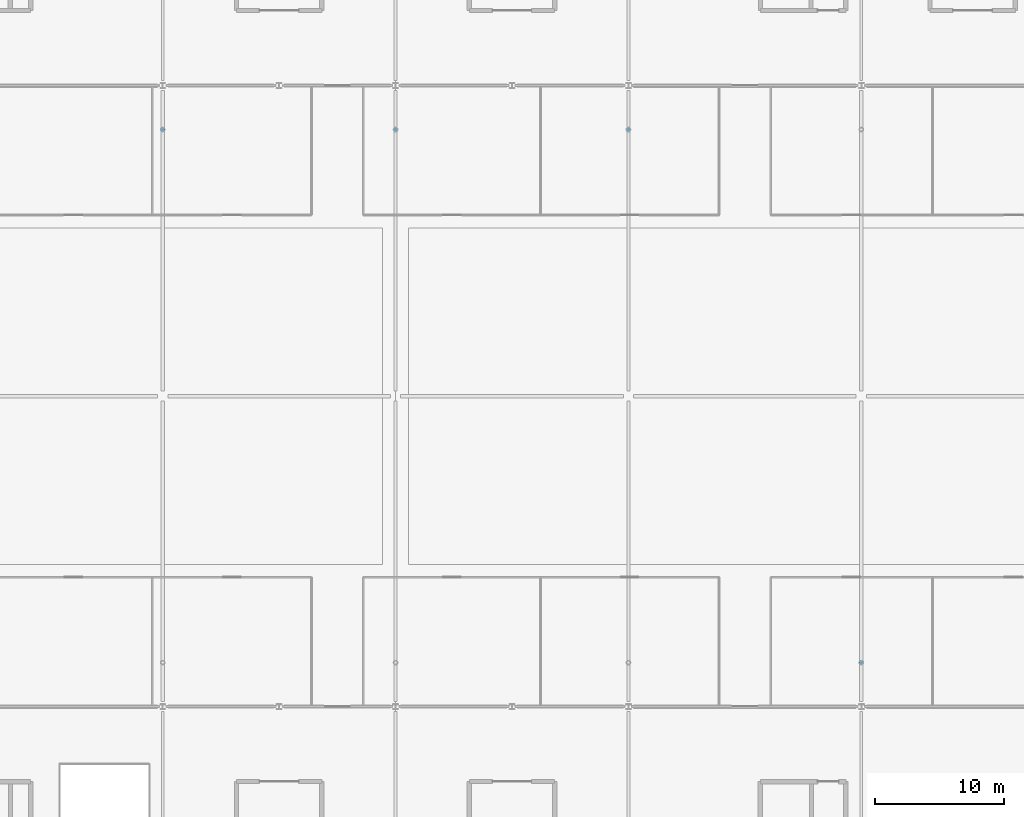
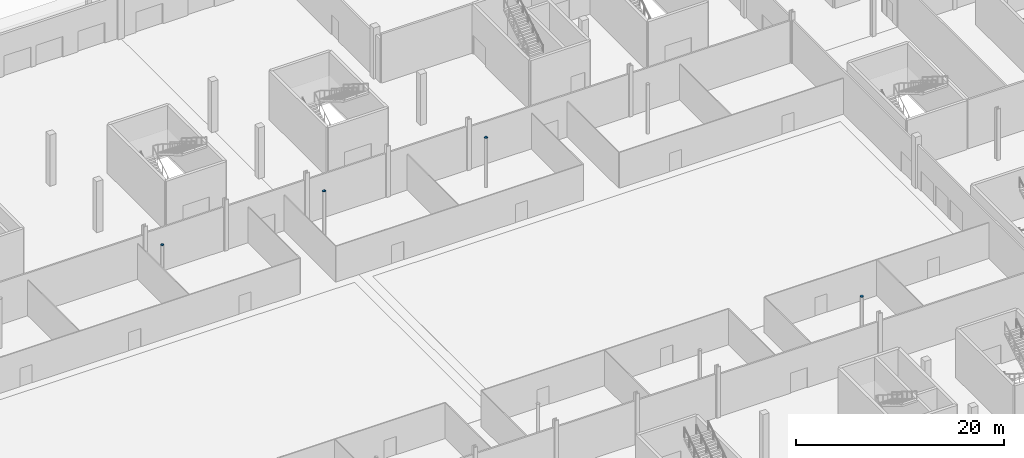
# One storey, part 48 of 84: 4 discrete accessories.
"""IFC4 building model written with IfcOpenShell, lengths in metres."""

from ifc_helpers import new_model, si_unit, direction, frame, origin, place, context, subcontext, project, spatial, polyline, outline, extrude, material, layer, layer_set, type_object, element, save


model = new_model("IFC4")

# Units and contexts
model_context = context("Model", 3, precision=1e-05, world=origin(), true_north=direction((0.0, 1.0)))
body_context = subcontext(model_context, "Body", "Model", "MODEL_VIEW")
ifc_project = project(units=[si_unit("LENGTHUNIT", "METRE"), si_unit("AREAUNIT", "SQUARE_METRE"), si_unit("VOLUMEUNIT", "CUBIC_METRE"), si_unit("PLANEANGLEUNIT", "RADIAN"), si_unit("MASSUNIT", "GRAM", prefix="KILO")], contexts=[model_context])

# Site, building, storey
site_placement = place(None, origin())
site = spatial("IfcSite", under=ifc_project, at=site_placement, CompositionType="ELEMENT")
building_placement = place(site_placement, origin())
building = spatial("IfcBuilding", under=site, at=building_placement, Name="Kisiwana Market Hall", CompositionType="ELEMENT")
storey_placement = place(building_placement, origin())
storey = spatial("IfcBuildingStorey", under=building, at=storey_placement, Name="L00", CompositionType="ELEMENT", Elevation=0.0)

# Discrete accessories
ifc_material = material(Name="Steel S355", Category="steel")
ifc_layer = layer(ifc_material, 0.011962890625)
ifc_layer_set = layer_set([ifc_layer], Name="ACC-ENDCAP-STL")
discrete_accessory_type = type_object("IfcDiscreteAccessoryType", Name="ACC-ENDCAP-STL", PredefinedType="USERDEFINED", material=ifc_layer_set)
discrete_accessory_1_placement = place(storey_placement, frame((0.0, 0.0, 5.800048828125)))
element("IfcDiscreteAccessory", 1, at=discrete_accessory_1_placement, inside=storey, type_object=discrete_accessory_type, Name="End cap plate EC-0118", ObjectType="End cap plate", PredefinedType="USERDEFINED", context=body_context, shape_type="SweptSolid", body=[
    extrude(outline(polyline([(81.162109375, 80.60009765625), (81.156494140625, 80.641845703125), (81.140380859375, 80.680908203125), (81.114501953125, 80.714599609375), (81.0810546875, 80.740234375), (81.0419921875, 80.75634765625), (81.0, 80.761962890625), (80.9580078125, 80.75634765625), (80.9189453125, 80.740234375), (80.885498046875, 80.714599609375), (80.859619140625, 80.680908203125), (80.843505859375, 80.641845703125), (80.837890625, 80.60009765625), (80.843505859375, 80.55810546875), (80.859619140625, 80.51904296875), (80.885498046875, 80.485595703125), (80.9189453125, 80.459716796875), (80.9580078125, 80.443603515625), (81.0, 80.43798828125), (81.0419921875, 80.443603515625), (81.0810546875, 80.459716796875), (81.114501953125, 80.485595703125), (81.140380859375, 80.51904296875), (81.156494140625, 80.55810546875), (81.162109375, 80.60009765625)])), origin(), (0.0, 0.0, 1.0), 0.011962890625),
])
discrete_accessory_2_placement = place(storey_placement, frame((0.0, 0.0, 5.800048828125)))
element("IfcDiscreteAccessory", 2, at=discrete_accessory_2_placement, inside=storey, type_object=discrete_accessory_type, Name="End cap plate EC-0120", ObjectType="End cap plate", PredefinedType="USERDEFINED", context=body_context, shape_type="SweptSolid", body=[
    extrude(outline(polyline([(99.162109375, 80.60009765625), (99.156494140625, 80.641845703125), (99.140380859375, 80.680908203125), (99.114501953125, 80.714599609375), (99.0810546875, 80.740234375), (99.0419921875, 80.75634765625), (99.0, 80.761962890625), (98.9580078125, 80.75634765625), (98.9189453125, 80.740234375), (98.885498046875, 80.714599609375), (98.859619140625, 80.680908203125), (98.843505859375, 80.641845703125), (98.837890625, 80.60009765625), (98.843505859375, 80.55810546875), (98.859619140625, 80.51904296875), (98.885498046875, 80.485595703125), (98.9189453125, 80.459716796875), (98.9580078125, 80.443603515625), (99.0, 80.43798828125), (99.0419921875, 80.443603515625), (99.0810546875, 80.459716796875), (99.114501953125, 80.485595703125), (99.140380859375, 80.51904296875), (99.156494140625, 80.55810546875), (99.162109375, 80.60009765625)])), origin(), (0.0, 0.0, 1.0), 0.011962890625),
])
discrete_accessory_3_placement = place(storey_placement, frame((0.0, 0.0, 5.800048828125)))
element("IfcDiscreteAccessory", 3, at=discrete_accessory_3_placement, inside=storey, type_object=discrete_accessory_type, Name="End cap plate EC-0122", ObjectType="End cap plate", PredefinedType="USERDEFINED", context=body_context, shape_type="SweptSolid", body=[
    extrude(outline(polyline([(117.162109375, 80.60009765625), (117.156494140625, 80.641845703125), (117.140380859375, 80.680908203125), (117.114501953125, 80.714599609375), (117.0810546875, 80.740234375), (117.0419921875, 80.75634765625), (117.0, 80.761962890625), (116.9580078125, 80.75634765625), (116.9189453125, 80.740234375), (116.885498046875, 80.714599609375), (116.859619140625, 80.680908203125), (116.843505859375, 80.641845703125), (116.837890625, 80.60009765625), (116.843505859375, 80.55810546875), (116.859619140625, 80.51904296875), (116.885498046875, 80.485595703125), (116.9189453125, 80.459716796875), (116.9580078125, 80.443603515625), (117.0, 80.43798828125), (117.0419921875, 80.443603515625), (117.0810546875, 80.459716796875), (117.114501953125, 80.485595703125), (117.140380859375, 80.51904296875), (117.156494140625, 80.55810546875), (117.162109375, 80.60009765625)])), origin(), (0.0, 0.0, 1.0), 0.011962890625),
])
discrete_accessory_4_placement = place(storey_placement, frame((0.0, 0.0, 5.800048828125)))
element("IfcDiscreteAccessory", 4, at=discrete_accessory_4_placement, inside=storey, type_object=discrete_accessory_type, Name="End cap plate EC-0123", ObjectType="End cap plate", PredefinedType="USERDEFINED", context=body_context, shape_type="SweptSolid", body=[
    extrude(outline(polyline([(135.161865234375, 39.39990234375), (135.156494140625, 39.44189453125), (135.140380859375, 39.48095703125), (135.114501953125, 39.514404296875), (135.0810546875, 39.540283203125), (135.0419921875, 39.556396484375), (135.0, 39.56201171875), (134.9580078125, 39.556396484375), (134.9189453125, 39.540283203125), (134.885498046875, 39.514404296875), (134.859619140625, 39.48095703125), (134.843505859375, 39.44189453125), (134.838134765625, 39.39990234375), (134.843505859375, 39.358154296875), (134.859619140625, 39.319091796875), (134.885498046875, 39.285400390625), (134.9189453125, 39.259765625), (134.9580078125, 39.24365234375), (135.0, 39.238037109375), (135.0419921875, 39.24365234375), (135.0810546875, 39.259765625), (135.114501953125, 39.285400390625), (135.140380859375, 39.319091796875), (135.156494140625, 39.358154296875), (135.161865234375, 39.39990234375)])), origin(), (0.0, 0.0, 1.0), 0.011962890625),
])

save(model, "model.ifc")
